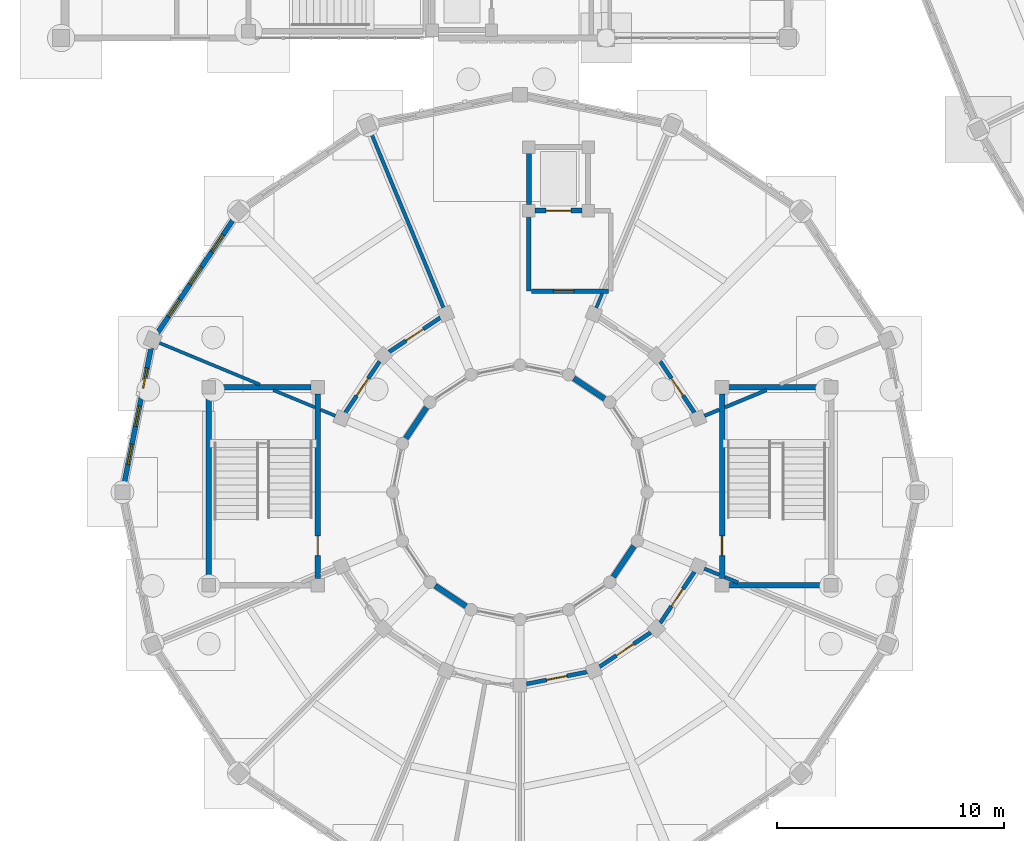
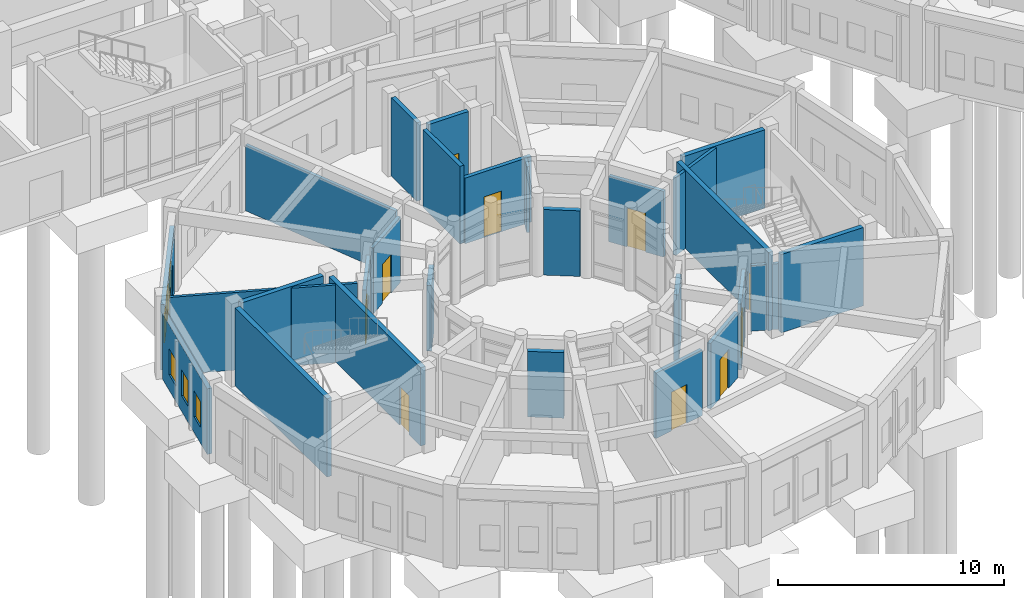
# One storey, part 116 of 153: 31 walls, 10 doors, 6 windows, 16 openings.
"""IFC4 building model written with IfcOpenShell, lengths in metres."""

from ifc_helpers import new_model, si_unit, direction, frame, frame_2d, origin, place, context, subcontext, project, spatial, rectangle, extrude, material, layer, layer_set, type_object, element, fill, save


model = new_model("IFC4")

# Units and contexts
model_context = context("Model", 3, precision=1e-05, world=origin(), true_north=direction((0.0, 1.0)))
body_context = subcontext(model_context, "Body", "Model", "MODEL_VIEW")
ifc_project = project(units=[si_unit("LENGTHUNIT", "METRE"), si_unit("AREAUNIT", "SQUARE_METRE"), si_unit("VOLUMEUNIT", "CUBIC_METRE"), si_unit("PLANEANGLEUNIT", "RADIAN"), si_unit("MASSUNIT", "GRAM", prefix="KILO")], contexts=[model_context])

# Site, building, storey
site_placement = place(None, origin())
site = spatial("IfcSite", under=ifc_project, at=site_placement, CompositionType="ELEMENT")
building_placement = place(site_placement, origin())
building = spatial("IfcBuilding", under=site, at=building_placement, Name="Celadon Cloister-Ring School", CompositionType="ELEMENT")
storey_placement = place(building_placement, origin())
storey = spatial("IfcBuildingStorey", under=building, at=storey_placement, Name="L00", CompositionType="ELEMENT", Elevation=0.0)

# Walls
ifc_material_1 = material(Name="Rendered concrete blockwork", Category="masonry")
ifc_layer_1 = layer(ifc_material_1, 0.239990234375)
ifc_layer_set_1 = layer_set([ifc_layer_1], Name="Rendered concrete blockwork")
wall_type_1 = type_object("IfcWallType", Name="WT-EX3", PredefinedType="SOLIDWALL", material=ifc_layer_set_1)
for number, where, z_axis, x_axis, name in (
    (1, (23.929931640625, 24.114013671875, 0.0), (0.0, 0.0, 1.0), (-0.83165874011, 0.555287078904, 0.0), "Exterior Wall 0294"),
    (2, (16.0859375, 23.72998046875, 0.0), (0.0, 0.0, 1.0), (-0.555287078904, -0.83165874011, 0.0), "Exterior Wall 0299"),
    (3, (16.469970703125, 15.885986328125, 0.0), (0.0, 0.0, 1.0), (0.83165874011, -0.555287078904, 0.0), "Exterior Wall 0304"),
    (4, (24.31396484375, 16.27001953125, 0.0), (0.0, 0.0, 1.0), (0.555287078904, 0.83165874011, 0.0), "Exterior Wall 0309"),
):
    element("IfcWall", number, at=place(storey_placement, frame(where, z_axis=z_axis, x_axis=x_axis)), inside=storey, type_object=wall_type_1, Name=name, PredefinedType="SOLIDWALL", context=body_context, shape_type="SweptSolid", body=[
        extrude(rectangle(XDim=1.631591796875, YDim=0.239990234375, at=frame_2d((0.81591796875, 0.0))), origin(), (0.0, 0.0, 1.0), 3.550048828125),
    ])

# Wall, openings, windows
ifc_material_2 = material(Name="Perforated terracotta clay brick masonry", Category="masonry")
ifc_layer_2 = layer(ifc_material_2, 0.219970703125)
ifc_layer_set_2 = layer_set([ifc_layer_2], Name="Perforated terracotta clay brick masonry")
wall_type_2 = type_object("IfcWallType", Name="WT-EX4", PredefinedType="SOLIDWALL", material=ifc_layer_set_2)
wall_1_placement = place(storey_placement, frame((4.22900390625, 26.991943359375, 0.0), z_axis=(0.0, 0.0, 1.0), x_axis=(0.555657446161, 0.831411331728, 0.0)))
wall_1 = element("IfcWall", 5, at=wall_1_placement, inside=storey, type_object=wall_type_2, Name="Exterior Wall 0298", PredefinedType="SOLIDWALL", context=body_context, shape_type="SweptSolid", body=[
    extrude(rectangle(XDim=6.11865234375, YDim=0.219970703125, at=frame_2d((3.059326171875, 0.0))), origin(), (0.0, 0.0, 1.0), 3.550048828125),
])
opening_1_placement = place(wall_1_placement, frame((0.89599609375, 0.0, 0.85009765625)))
opening_1 = element("IfcOpeningElement", 6, at=opening_1_placement, cuts=wall_1, Name="Opening WN-21", PredefinedType="OPENING", context=body_context, shape_type="SweptSolid", body=[
    extrude(rectangle(XDim=0.89990234375, YDim=1.39990234375, at=frame_2d((0.449951171875, 0.699951171875))), frame((0.0, 0.1201171875, 0.0), z_axis=(0.0, -1.0, 0.0), x_axis=(1.0, 0.0, 0.0)), (0.0, 0.0, 1.0), 0.239990234375),
])
opening_2_placement = place(wall_1_placement, frame((2.60888671875, 0.0, 0.85009765625)))
opening_2 = element("IfcOpeningElement", 7, at=opening_2_placement, cuts=wall_1, Name="Opening WN-21", PredefinedType="OPENING", context=body_context, shape_type="SweptSolid", body=[
    extrude(rectangle(XDim=0.89990234375, YDim=1.39990234375, at=frame_2d((0.449951171875, 0.699951171875))), frame((0.0, 0.1201171875, 0.0), z_axis=(0.0, -1.0, 0.0), x_axis=(1.0, 0.0, 0.0)), (0.0, 0.0, 1.0), 0.239990234375),
])
opening_3_placement = place(wall_1_placement, frame((4.322998046875, 0.0, 0.85009765625)))
opening_3 = element("IfcOpeningElement", 8, at=opening_3_placement, cuts=wall_1, Name="Opening WN-21", PredefinedType="OPENING", context=body_context, shape_type="SweptSolid", body=[
    extrude(rectangle(XDim=0.89990234375, YDim=1.39990234375, at=frame_2d((0.449951171875, 0.699951171875))), frame((0.0, 0.1201171875, 0.0), z_axis=(0.0, -1.0, 0.0), x_axis=(1.0, 0.0, 0.0)), (0.0, 0.0, 1.0), 0.239990234375),
])
ifc_material_3 = material(Name="Tempered laminated insulating glass", Category="glass")
window_type = type_object("IfcWindowType", Name="WN-21", PartitioningType="SINGLE_PANEL", PredefinedType="WINDOW", material=ifc_material_3)
window_1_placement = place(opening_1_placement, origin())
window_1 = element("IfcWindow", 9, at=window_1_placement, inside=storey, type_object=window_type, Name="Window 0777", OverallHeight=1.39990234375, OverallWidth=0.89990234375, PartitioningType="SINGLE_PANEL", PredefinedType="WINDOW", context=body_context, shape_type="SweptSolid", body=[
    extrude(rectangle(XDim=0.89990234375, YDim=1.39990234375, at=frame_2d((0.449951171875, 0.699951171875))), frame((0.0, 0.030029296875, 0.0), z_axis=(0.0, -1.0, 0.0), x_axis=(1.0, 0.0, 0.0)), (0.0, 0.0, 1.0), 0.06005859375),
])
fill(opening_1, window_1)
window_2_placement = place(opening_2_placement, origin())
window_2 = element("IfcWindow", 10, at=window_2_placement, inside=storey, type_object=window_type, Name="Window 0778", OverallHeight=1.39990234375, OverallWidth=0.89990234375, PartitioningType="SINGLE_PANEL", PredefinedType="WINDOW", context=body_context, shape_type="SweptSolid", body=[
    extrude(rectangle(XDim=0.89990234375, YDim=1.39990234375, at=frame_2d((0.449951171875, 0.699951171875))), frame((0.0, 0.030029296875, 0.0), z_axis=(0.0, -1.0, 0.0), x_axis=(1.0, 0.0, 0.0)), (0.0, 0.0, 1.0), 0.06005859375),
])
fill(opening_2, window_2)
window_3_placement = place(opening_3_placement, origin())
window_3 = element("IfcWindow", 11, at=window_3_placement, inside=storey, type_object=window_type, Name="Window 0779", OverallHeight=1.39990234375, OverallWidth=0.89990234375, PartitioningType="SINGLE_PANEL", PredefinedType="WINDOW", context=body_context, shape_type="SweptSolid", body=[
    extrude(rectangle(XDim=0.89990234375, YDim=1.39990234375, at=frame_2d((0.449951171875, 0.699951171875))), frame((0.0, 0.030029296875, 0.0), z_axis=(0.0, -1.0, 0.0), x_axis=(1.0, 0.0, 0.0)), (0.0, 0.0, 1.0), 0.06005859375),
])
fill(opening_3, window_3)

wall_2_placement = place(storey_placement, frame((2.76904296875, 20.347900390625, 0.0), z_axis=(0.0, 0.0, 1.0), x_axis=(0.195110859746, 0.980781194971, 0.0)))
wall_2 = element("IfcWall", 12, at=wall_2_placement, inside=storey, type_object=wall_type_2, Name="Exterior Wall 0300", PredefinedType="SOLIDWALL", context=body_context, shape_type="SweptSolid", body=[
    extrude(rectangle(XDim=6.118896484375, YDim=0.219970703125, at=frame_2d((3.0595703125, 0.0))), origin(), (0.0, 0.0, 1.0), 3.550048828125),
])
opening_4_placement = place(wall_2_placement, frame((0.89599609375, 0.0, 0.85009765625)))
opening_4 = element("IfcOpeningElement", 13, at=opening_4_placement, cuts=wall_2, Name="Opening WN-21", PredefinedType="OPENING", context=body_context, shape_type="SweptSolid", body=[
    extrude(rectangle(XDim=0.89990234375, YDim=1.39990234375, at=frame_2d((0.449951171875, 0.699951171875))), frame((0.0, 0.1201171875, 0.0), z_axis=(0.0, -1.0, 0.0), x_axis=(1.0, 0.0, 0.0)), (0.0, 0.0, 1.0), 0.239990234375),
])
opening_5_placement = place(wall_2_placement, frame((2.60888671875, 0.0, 0.85009765625)))
opening_5 = element("IfcOpeningElement", 14, at=opening_5_placement, cuts=wall_2, Name="Opening WN-21", PredefinedType="OPENING", context=body_context, shape_type="SweptSolid", body=[
    extrude(rectangle(XDim=0.89990234375, YDim=1.39990234375, at=frame_2d((0.449951171875, 0.699951171875))), frame((0.0, 0.1201171875, 0.0), z_axis=(0.0, -1.0, 0.0), x_axis=(1.0, 0.0, 0.0)), (0.0, 0.0, 1.0), 0.239990234375),
])
opening_6_placement = place(wall_2_placement, frame((4.322998046875, 0.0, 0.85009765625)))
opening_6 = element("IfcOpeningElement", 15, at=opening_6_placement, cuts=wall_2, Name="Opening WN-21", PredefinedType="OPENING", context=body_context, shape_type="SweptSolid", body=[
    extrude(rectangle(XDim=0.89990234375, YDim=1.39990234375, at=frame_2d((0.449951171875, 0.699951171875))), frame((0.0, 0.1201171875, 0.0), z_axis=(0.0, -1.0, 0.0), x_axis=(1.0, 0.0, 0.0)), (0.0, 0.0, 1.0), 0.239990234375),
])
window_4_placement = place(opening_4_placement, origin())
window_4 = element("IfcWindow", 16, at=window_4_placement, inside=storey, type_object=window_type, Name="Window 0780", OverallHeight=1.39990234375, OverallWidth=0.89990234375, PartitioningType="SINGLE_PANEL", PredefinedType="WINDOW", context=body_context, shape_type="SweptSolid", body=[
    extrude(rectangle(XDim=0.89990234375, YDim=1.39990234375, at=frame_2d((0.449951171875, 0.699951171875))), frame((0.0, 0.030029296875, 0.0), z_axis=(0.0, -1.0, 0.0), x_axis=(1.0, 0.0, 0.0)), (0.0, 0.0, 1.0), 0.06005859375),
])
fill(opening_4, window_4)
window_5_placement = place(opening_5_placement, origin())
window_5 = element("IfcWindow", 17, at=window_5_placement, inside=storey, type_object=window_type, Name="Window 0781", OverallHeight=1.39990234375, OverallWidth=0.89990234375, PartitioningType="SINGLE_PANEL", PredefinedType="WINDOW", context=body_context, shape_type="SweptSolid", body=[
    extrude(rectangle(XDim=0.89990234375, YDim=1.39990234375, at=frame_2d((0.449951171875, 0.699951171875))), frame((0.0, 0.030029296875, 0.0), z_axis=(0.0, -1.0, 0.0), x_axis=(1.0, 0.0, 0.0)), (0.0, 0.0, 1.0), 0.06005859375),
])
fill(opening_5, window_5)
window_6_placement = place(opening_6_placement, origin())
window_6 = element("IfcWindow", 18, at=window_6_placement, inside=storey, type_object=window_type, Name="Window 0782", OverallHeight=1.39990234375, OverallWidth=0.89990234375, PartitioningType="SINGLE_PANEL", PredefinedType="WINDOW", context=body_context, shape_type="SweptSolid", body=[
    extrude(rectangle(XDim=0.89990234375, YDim=1.39990234375, at=frame_2d((0.449951171875, 0.699951171875))), frame((0.0, 0.030029296875, 0.0), z_axis=(0.0, -1.0, 0.0), x_axis=(1.0, 0.0, 0.0)), (0.0, 0.0, 1.0), 0.06005859375),
])
fill(opening_6, window_6)

# Wall
ifc_material_4 = material(Name="Plastered hollow concrete masonry", Category="masonry")
ifc_layer_3 = layer(ifc_material_4, 0.199951171875)
ifc_layer_set_3 = layer_set([ifc_layer_3], Name="Plastered hollow concrete masonry")
wall_type_3 = type_object("IfcWallType", Name="WT-PT1", PredefinedType="PARTITIONING", material=ifc_layer_set_3)
wall_3_placement = place(storey_placement, frame((20.60009765625, 28.85009765625, 0.0), z_axis=(0.0, 0.0, 1.0), x_axis=(0.0, 1.0, 0.0)))
element("IfcWall", 19, at=wall_3_placement, inside=storey, type_object=wall_type_3, Name="Interior Wall 0372", PredefinedType="PARTITIONING", context=body_context, shape_type="SweptSolid", body=[
    extrude(rectangle(XDim=3.282958984375, YDim=0.199951171875, at=frame_2d((1.6416015625, 0.0))), origin(), (0.0, 0.0, 1.0), 4.199951171875),
])

# Wall, opening, door
wall_4_placement = place(storey_placement, frame((24.096923828125, 28.85009765625, 0.0), z_axis=(0.0, 0.0, 1.0), x_axis=(-1.0, 0.0, 0.0)))
wall_4 = element("IfcWall", 20, at=wall_4_placement, inside=storey, type_object=wall_type_3, Name="Interior Wall 0374", PredefinedType="PARTITIONING", context=body_context, shape_type="SweptSolid", body=[
    extrude(rectangle(XDim=3.39404296875, YDim=0.199951171875, at=frame_2d((1.697021484375, 0.0))), origin(), (0.0, 0.0, 1.0), 3.552001953125),
])
opening_7_placement = place(wall_4_placement, frame((1.51904296875, 0.0, 0.0)))
opening_7 = element("IfcOpeningElement", 21, at=opening_7_placement, cuts=wall_4, Name="Opening D-0105", PredefinedType="OPENING", context=body_context, shape_type="SweptSolid", body=[
    extrude(rectangle(XDim=0.89990234375, YDim=2.199951171875, at=frame_2d((0.449951171875, 1.10009765625))), frame((0.0, 0.10986328125, 0.0), z_axis=(0.0, -1.0, 0.0), x_axis=(1.0, 0.0, 0.0)), (0.0, 0.0, 1.0), 0.219970703125),
])
ifc_material_5 = material(Name="Solid-core fire-rated hardwood leaf", Category="wood")
door_type_1 = type_object("IfcDoorType", Name="DT-06", OperationType="NOTDEFINED", PredefinedType="DOOR", material=ifc_material_5)
door_1_placement = place(opening_7_placement, origin())
door_1 = element("IfcDoor", 22, at=door_1_placement, inside=storey, type_object=door_type_1, Name="Door D-0105", OperationType="SINGLE_SWING_LEFT", OverallHeight=2.199951171875, OverallWidth=0.89990234375, PredefinedType="DOOR", context=body_context, shape_type="SweptSolid", body=[
    extrude(rectangle(XDim=0.89990234375, YDim=2.199951171875, at=frame_2d((0.449951171875, 1.10009765625))), frame((0.0, 0.02490234375, 0.0), z_axis=(0.0, -1.0, 0.0), x_axis=(1.0, 0.0, 0.0)), (0.0, 0.0, 1.0), 0.050048828125),
])
fill(opening_7, door_1)

ifc_material_6 = material(Name="Plastered hollow concrete masonry", Category="masonry")
ifc_layer_4 = layer(ifc_material_6, 0.179931640625)
ifc_layer_set_4 = layer_set([ifc_layer_4], Name="Plastered hollow concrete masonry")
wall_type_4 = type_object("IfcWallType", Name="WT-PT2", PredefinedType="PARTITIONING", material=ifc_layer_set_4)
wall_5_placement = place(storey_placement, frame((27.887939453125, 23.5009765625, 0.0), z_axis=(0.0, 0.0, 1.0), x_axis=(-0.556128339679, 0.831096426298, 0.0)))
wall_5 = element("IfcWall", 23, at=wall_5_placement, inside=storey, type_object=wall_type_4, Name="Interior Wall 0778", PredefinedType="PARTITIONING", context=body_context, shape_type="SweptSolid", body=[
    extrude(rectangle(XDim=2.720458984375, YDim=0.179931640625, at=frame_2d((1.3603515625, 0.0))), origin(), (0.0, 0.0, 1.0), 3.552001953125),
])
opening_8_placement = place(wall_5_placement, frame((0.89990234375, 0.0, 0.0)))
opening_8 = element("IfcOpeningElement", 24, at=opening_8_placement, cuts=wall_5, Name="Opening D-0279", PredefinedType="OPENING", context=body_context, shape_type="SweptSolid", body=[
    extrude(rectangle(XDim=0.919921875, YDim=2.10009765625, at=frame_2d((0.4599609375, 1.050048828125))), frame((0.0, 0.10009765625, 0.0), z_axis=(0.0, -1.0, 0.0), x_axis=(1.0, 0.0, 0.0)), (0.0, 0.0, 1.0), 0.199951171875),
])
ifc_material_7 = material(Name="Solid-core fire-rated hardwood leaf", Category="wood")
door_type_2 = type_object("IfcDoorType", Name="DT-02", OperationType="NOTDEFINED", PredefinedType="DOOR", material=ifc_material_7)
door_2_placement = place(opening_8_placement, origin())
door_2 = element("IfcDoor", 25, at=door_2_placement, inside=storey, type_object=door_type_2, Name="Door D-0279", OperationType="SINGLE_SWING_LEFT", OverallHeight=2.10009765625, OverallWidth=0.919921875, PredefinedType="DOOR", context=body_context, shape_type="SweptSolid", body=[
    extrude(rectangle(XDim=0.919921875, YDim=2.10009765625, at=frame_2d((0.4599609375, 1.050048828125))), frame((0.0, 0.02490234375, 0.0), z_axis=(0.0, -1.0, 0.0), x_axis=(1.0, 0.0, 0.0)), (0.0, 0.0, 1.0), 0.050048828125),
])
fill(opening_8, door_2)

wall_6_placement = place(storey_placement, frame((16.698974609375, 27.68798828125, 0.0), z_axis=(0.0, 0.0, 1.0), x_axis=(-0.831096426298, -0.556128339679, 0.0)))
wall_6 = element("IfcWall", 26, at=wall_6_placement, inside=storey, type_object=wall_type_4, Name="Interior Wall 0780", PredefinedType="PARTITIONING", context=body_context, shape_type="SweptSolid", body=[
    extrude(rectangle(XDim=2.720458984375, YDim=0.179931640625, at=frame_2d((1.3603515625, 0.0))), origin(), (0.0, 0.0, 1.0), 3.552001953125),
])
opening_9_placement = place(wall_6_placement, frame((0.89990234375, 0.0, 0.0)))
opening_9 = element("IfcOpeningElement", 27, at=opening_9_placement, cuts=wall_6, Name="Opening D-0281", PredefinedType="OPENING", context=body_context, shape_type="SweptSolid", body=[
    extrude(rectangle(XDim=0.919921875, YDim=2.10009765625, at=frame_2d((0.4599609375, 1.050048828125))), frame((0.0, 0.10009765625, 0.0), z_axis=(0.0, -1.0, 0.0), x_axis=(1.0, 0.0, 0.0)), (0.0, 0.0, 1.0), 0.199951171875),
])
door_3_placement = place(opening_9_placement, origin())
door_3 = element("IfcDoor", 28, at=door_3_placement, inside=storey, type_object=door_type_2, Name="Door D-0281", OperationType="SINGLE_SWING_LEFT", OverallHeight=2.10009765625, OverallWidth=0.919921875, PredefinedType="DOOR", context=body_context, shape_type="SweptSolid", body=[
    extrude(rectangle(XDim=0.919921875, YDim=2.10009765625, at=frame_2d((0.4599609375, 1.050048828125))), frame((0.0, 0.02490234375, 0.0), z_axis=(0.0, -1.0, 0.0), x_axis=(1.0, 0.0, 0.0)), (0.0, 0.0, 1.0), 0.050048828125),
])
fill(opening_9, door_3)

wall_7_placement = place(storey_placement, frame((14.02490234375, 25.761962890625, 0.0), z_axis=(0.0, 0.0, 1.0), x_axis=(-0.556128339679, -0.831096426298, 0.0)))
wall_7 = element("IfcWall", 29, at=wall_7_placement, inside=storey, type_object=wall_type_4, Name="Interior Wall 0781", PredefinedType="PARTITIONING", context=body_context, shape_type="SweptSolid", body=[
    extrude(rectangle(XDim=2.720458984375, YDim=0.179931640625, at=frame_2d((1.3603515625, 0.0))), origin(), (0.0, 0.0, 1.0), 3.552001953125),
])
opening_10_placement = place(wall_7_placement, frame((0.89990234375, 0.0, 0.0)))
opening_10 = element("IfcOpeningElement", 30, at=opening_10_placement, cuts=wall_7, Name="Opening D-0282", PredefinedType="OPENING", context=body_context, shape_type="SweptSolid", body=[
    extrude(rectangle(XDim=0.919921875, YDim=2.10009765625, at=frame_2d((0.4599609375, 1.050048828125))), frame((0.0, 0.10009765625, 0.0), z_axis=(0.0, -1.0, 0.0), x_axis=(1.0, 0.0, 0.0)), (0.0, 0.0, 1.0), 0.199951171875),
])
door_4_placement = place(opening_10_placement, origin())
door_4 = element("IfcDoor", 31, at=door_4_placement, inside=storey, type_object=door_type_2, Name="Door D-0282", OperationType="SINGLE_SWING_RIGHT", OverallHeight=2.10009765625, OverallWidth=0.919921875, PredefinedType="DOOR", context=body_context, shape_type="SweptSolid", body=[
    extrude(rectangle(XDim=0.919921875, YDim=2.10009765625, at=frame_2d((0.4599609375, 1.050048828125))), frame((0.0, 0.02490234375, 0.0), z_axis=(0.0, -1.0, 0.0), x_axis=(1.0, 0.0, 0.0)), (0.0, 0.0, 1.0), 0.050048828125),
])
fill(opening_10, door_4)

wall_8_placement = place(storey_placement, frame((20.491943359375, 11.55810546875, 0.0), z_axis=(0.0, 0.0, 1.0), x_axis=(0.980776867939, 0.195132609565, 0.0)))
wall_8 = element("IfcWall", 32, at=wall_8_placement, inside=storey, type_object=wall_type_4, Name="Interior Wall 0786", PredefinedType="PARTITIONING", context=body_context, shape_type="SweptSolid", body=[
    extrude(rectangle(XDim=2.72119140625, YDim=0.179931640625, at=frame_2d((1.360595703125, 0.0))), origin(), (0.0, 0.0, 1.0), 3.552001953125),
])
opening_11_placement = place(wall_8_placement, frame((0.90087890625, 0.0, 0.0)))
opening_11 = element("IfcOpeningElement", 33, at=opening_11_placement, cuts=wall_8, Name="Opening D-0287", PredefinedType="OPENING", context=body_context, shape_type="SweptSolid", body=[
    extrude(rectangle(XDim=0.919921875, YDim=2.10009765625, at=frame_2d((0.4599609375, 1.050048828125))), frame((0.0, 0.10009765625, 0.0), z_axis=(0.0, -1.0, 0.0), x_axis=(1.0, 0.0, 0.0)), (0.0, 0.0, 1.0), 0.199951171875),
])
door_5_placement = place(opening_11_placement, origin())
door_5 = element("IfcDoor", 34, at=door_5_placement, inside=storey, type_object=door_type_2, Name="Door D-0287", OperationType="SINGLE_SWING_LEFT", OverallHeight=2.10009765625, OverallWidth=0.919921875, PredefinedType="DOOR", context=body_context, shape_type="SweptSolid", body=[
    extrude(rectangle(XDim=0.919921875, YDim=2.10009765625, at=frame_2d((0.4599609375, 1.050048828125))), frame((0.0, 0.02490234375, 0.0), z_axis=(0.0, -1.0, 0.0), x_axis=(1.0, 0.0, 0.0)), (0.0, 0.0, 1.0), 0.050048828125),
])
fill(opening_11, door_5)

wall_9_placement = place(storey_placement, frame((23.700927734375, 12.31201171875, 0.0), z_axis=(0.0, 0.0, 1.0), x_axis=(0.831096426298, 0.556128339679, 0.0)))
wall_9 = element("IfcWall", 35, at=wall_9_placement, inside=storey, type_object=wall_type_4, Name="Interior Wall 0787", PredefinedType="PARTITIONING", context=body_context, shape_type="SweptSolid", body=[
    extrude(rectangle(XDim=2.720458984375, YDim=0.179931640625, at=frame_2d((1.3603515625, 0.0))), origin(), (0.0, 0.0, 1.0), 3.552001953125),
])
opening_12_placement = place(wall_9_placement, frame((0.89990234375, 0.0, 0.0)))
opening_12 = element("IfcOpeningElement", 36, at=opening_12_placement, cuts=wall_9, Name="Opening D-0288", PredefinedType="OPENING", context=body_context, shape_type="SweptSolid", body=[
    extrude(rectangle(XDim=0.919921875, YDim=2.10009765625, at=frame_2d((0.4599609375, 1.050048828125))), frame((0.0, 0.10009765625, 0.0), z_axis=(0.0, -1.0, 0.0), x_axis=(1.0, 0.0, 0.0)), (0.0, 0.0, 1.0), 0.199951171875),
])
door_6_placement = place(opening_12_placement, origin())
door_6 = element("IfcDoor", 37, at=door_6_placement, inside=storey, type_object=door_type_2, Name="Door D-0288", OperationType="SINGLE_SWING_RIGHT", OverallHeight=2.10009765625, OverallWidth=0.919921875, PredefinedType="DOOR", context=body_context, shape_type="SweptSolid", body=[
    extrude(rectangle(XDim=0.919921875, YDim=2.10009765625, at=frame_2d((0.4599609375, 1.050048828125))), frame((0.0, 0.02490234375, 0.0), z_axis=(0.0, -1.0, 0.0), x_axis=(1.0, 0.0, 0.0)), (0.0, 0.0, 1.0), 0.050048828125),
])
fill(opening_12, door_6)

wall_10_placement = place(storey_placement, frame((26.375, 14.238037109375, 0.0), z_axis=(0.0, 0.0, 1.0), x_axis=(0.556128339679, 0.831096426298, 0.0)))
wall_10 = element("IfcWall", 38, at=wall_10_placement, inside=storey, type_object=wall_type_4, Name="Interior Wall 0788", PredefinedType="PARTITIONING", context=body_context, shape_type="SweptSolid", body=[
    extrude(rectangle(XDim=2.720458984375, YDim=0.179931640625, at=frame_2d((1.3603515625, 0.0))), origin(), (0.0, 0.0, 1.0), 3.552001953125),
])
opening_13_placement = place(wall_10_placement, frame((0.89990234375, 0.0, 0.0)))
opening_13 = element("IfcOpeningElement", 39, at=opening_13_placement, cuts=wall_10, Name="Opening D-0289", PredefinedType="OPENING", context=body_context, shape_type="SweptSolid", body=[
    extrude(rectangle(XDim=0.919921875, YDim=2.10009765625, at=frame_2d((0.4599609375, 1.050048828125))), frame((0.0, 0.10009765625, 0.0), z_axis=(0.0, -1.0, 0.0), x_axis=(1.0, 0.0, 0.0)), (0.0, 0.0, 1.0), 0.199951171875),
])
door_7_placement = place(opening_13_placement, origin())
door_7 = element("IfcDoor", 40, at=door_7_placement, inside=storey, type_object=door_type_2, Name="Door D-0289", OperationType="SINGLE_SWING_LEFT", OverallHeight=2.10009765625, OverallWidth=0.919921875, PredefinedType="DOOR", context=body_context, shape_type="SweptSolid", body=[
    extrude(rectangle(XDim=0.919921875, YDim=2.10009765625, at=frame_2d((0.4599609375, 1.050048828125))), frame((0.0, 0.02490234375, 0.0), z_axis=(0.0, -1.0, 0.0), x_axis=(1.0, 0.0, 0.0)), (0.0, 0.0, 1.0), 0.050048828125),
])
fill(opening_13, door_7)

# Walls
ifc_material_8 = material(Name="Plastered hollow concrete masonry", Category="masonry")
ifc_layer_5 = layer(ifc_material_8, 0.159912109375)
ifc_layer_set_5 = layer_set([ifc_layer_5], Name="Plastered hollow concrete masonry")
wall_type_5 = type_object("IfcWallType", Name="WT-PT3", PredefinedType="PARTITIONING", material=ifc_layer_set_5)
wall_11_placement = place(storey_placement, frame((28.322998046875, 23.364013671875, 0.0), z_axis=(0.0, 0.0, 1.0), x_axis=(0.923840285319, 0.382778169729, 0.0)))
element("IfcWall", 41, at=wall_11_placement, inside=storey, type_object=wall_type_5, Name="Interior Wall 0758", PredefinedType="PARTITIONING", context=body_context, shape_type="SweptSolid", body=[
    extrude(rectangle(XDim=0.7080078125, YDim=0.159912109375, at=frame_2d((0.35400390625, 0.0))), origin(), (0.0, 0.0, 1.0), 4.199951171875),
])
wall_12_placement = place(storey_placement, frame((29.222900390625, 23.737060546875, 0.0), z_axis=(0.0, 0.0, 1.0), x_axis=(0.923817443679, 0.382833293686, 0.0)))
element("IfcWall", 42, at=wall_12_placement, inside=storey, type_object=wall_type_5, Name="Interior Wall 0759", PredefinedType="PARTITIONING", context=body_context, shape_type="SweptSolid", body=[
    extrude(rectangle(XDim=1.985107421875, YDim=0.159912109375, at=frame_2d((0.99267578125, 0.0))), origin(), (0.0, 0.0, 1.0), 4.199951171875),
])
wall_13_placement = place(storey_placement, frame((16.8359375, 28.123046875, 0.0), z_axis=(0.0, 0.0, 1.0), x_axis=(-0.382780060664, 0.923839501839, 0.0)))
element("IfcWall", 43, at=wall_13_placement, inside=storey, type_object=wall_type_5, Name="Interior Wall 0764", PredefinedType="PARTITIONING", context=body_context, shape_type="SweptSolid", body=[
    extrude(rectangle(XDim=8.39111328125, YDim=0.159912109375, at=frame_2d((4.195556640625, 0.0))), origin(), (0.0, 0.0, 1.0), 3.552001953125),
])
wall_14_placement = place(storey_placement, frame((28.322998046875, 16.635986328125, 0.0), z_axis=(0.0, 0.0, 1.0), x_axis=(0.923840285319, -0.382778169729, 0.0)))
element("IfcWall", 44, at=wall_14_placement, inside=storey, type_object=wall_type_5, Name="Interior Wall 0774", PredefinedType="PARTITIONING", context=body_context, shape_type="SweptSolid", body=[
    extrude(rectangle(XDim=0.7080078125, YDim=0.159912109375, at=frame_2d((0.35400390625, 0.0))), origin(), (0.0, 0.0, 1.0), 3.552001953125),
])
wall_15_placement = place(storey_placement, frame((29.222900390625, 16.262939453125, 0.0), z_axis=(0.0, 0.0, 1.0), x_axis=(0.923812676193, -0.382844797933, 0.0)))
element("IfcWall", 45, at=wall_15_placement, inside=storey, type_object=wall_type_5, Name="Interior Wall 0775", PredefinedType="PARTITIONING", context=body_context, shape_type="SweptSolid", body=[
    extrude(rectangle(XDim=0.626953125, YDim=0.159912109375, at=frame_2d((0.3134765625, 0.0))), origin(), (0.0, 0.0, 1.0), 3.552001953125),
])
ifc_material_9 = material(Name="Acoustic mineral-wool drywall partition")
ifc_layer_6 = layer(ifc_material_9, 0.139892578125)
ifc_layer_set_6 = layer_set([ifc_layer_6], Name="Acoustic mineral-wool drywall partition")
wall_type_6 = type_object("IfcWallType", Name="WT-PT4", PredefinedType="PARTITIONING", material=ifc_layer_set_6)
wall_16_placement = place(storey_placement, frame((23.56396484375, 28.123046875, 0.0), z_axis=(0.0, 0.0, 1.0), x_axis=(0.383383487336, 0.923589249417, 0.0)))
element("IfcWall", 46, at=wall_16_placement, inside=storey, type_object=wall_type_6, Name="Interior Wall 0761", PredefinedType="PARTITIONING", context=body_context, shape_type="SweptSolid", body=[
    extrude(rectangle(XDim=0.675537109375, YDim=0.139892578125, at=frame_2d((0.337890625, 0.0))), origin(), (0.0, 0.0, 1.0), 3.552001953125),
])
wall_17_placement = place(storey_placement, frame((12.076904296875, 23.364013671875, 0.0), z_axis=(0.0, 0.0, 1.0), x_axis=(-0.923789734747, 0.382900151445, 0.0)))
element("IfcWall", 47, at=wall_17_placement, inside=storey, type_object=wall_type_6, Name="Interior Wall 0765", PredefinedType="PARTITIONING", context=body_context, shape_type="SweptSolid", body=[
    extrude(rectangle(XDim=0.707763671875, YDim=0.139892578125, at=frame_2d((0.35400390625, 0.0))), origin(), (0.0, 0.0, 1.0), 4.199951171875),
])
wall_18_placement = place(storey_placement, frame((11.177001953125, 23.737060546875, 0.0), z_axis=(0.0, 0.0, 1.0), x_axis=(-0.923817443679, 0.382833293686, 0.0)))
element("IfcWall", 48, at=wall_18_placement, inside=storey, type_object=wall_type_6, Name="Interior Wall 0766", PredefinedType="PARTITIONING", context=body_context, shape_type="SweptSolid", body=[
    extrude(rectangle(XDim=1.985107421875, YDim=0.139892578125, at=frame_2d((0.99267578125, 0.0))), origin(), (0.0, 0.0, 1.0), 4.199951171875),
])
wall_19_placement = place(storey_placement, frame((8.7490234375, 24.742919921875, 0.0), z_axis=(0.0, 0.0, 1.0), x_axis=(-0.923842829076, 0.38277203028, 0.0)))
element("IfcWall", 49, at=wall_19_placement, inside=storey, type_object=wall_type_6, Name="Interior Wall 0767", PredefinedType="PARTITIONING", context=body_context, shape_type="SweptSolid", body=[
    extrude(rectangle(XDim=4.788818359375, YDim=0.139892578125, at=frame_2d((2.39453125, 0.0))), origin(), (0.0, 0.0, 1.0), 4.199951171875),
])
ifc_material_10 = material(Name="Concrete C40/50", Category="concrete")
ifc_layer_7 = layer(ifc_material_10, 0.239990234375)
ifc_layer_set_7 = layer_set([ifc_layer_7], Name="Concrete C40/50")
wall_type_7 = type_object("IfcWallType", Name="WT-SH1", PredefinedType="SHEAR", material=ifc_layer_set_7)
wall_20_placement = place(storey_placement, frame((6.5, 16.19189453125, 0.0), z_axis=(0.0, 0.0, 1.0), x_axis=(0.0, 1.0, 0.0)))
element("IfcWall", 50, at=wall_20_placement, inside=storey, type_object=wall_type_7, Name="Interior Wall 0049", PredefinedType="SHEAR", context=body_context, shape_type="SweptSolid", body=[
    extrude(rectangle(XDim=8.135986328125, YDim=0.239990234375, at=frame_2d((4.06787109375, 0.0))), origin(), (0.0, 0.0, 1.0), 4.239990234375),
])

# Wall, opening, door
wall_21_placement = place(storey_placement, frame((11.300048828125, 24.327880859375, 0.0), z_axis=(0.0, 0.0, 1.0), x_axis=(0.0, -1.0, 0.0)))
wall_21 = element("IfcWall", 51, at=wall_21_placement, inside=storey, type_object=wall_type_7, Name="Interior Wall 0050", PredefinedType="SHEAR", context=body_context, shape_type="SweptSolid", body=[
    extrude(rectangle(XDim=8.135986328125, YDim=0.239990234375, at=frame_2d((4.06787109375, 0.0))), origin(), (0.0, 0.0, 1.0), 4.239990234375),
])
opening_14_placement = place(wall_21_placement, frame((6.243896484375, 0.0, 0.0)))
opening_14 = element("IfcOpeningElement", 52, at=opening_14_placement, cuts=wall_21, Name="Opening D-0045", PredefinedType="OPENING", context=body_context, shape_type="SweptSolid", body=[
    extrude(rectangle(XDim=0.8798828125, YDim=2.10009765625, at=frame_2d((0.43994140625, 1.050048828125))), frame((0.0, 0.1298828125, 0.0), z_axis=(0.0, -1.0, 0.0), x_axis=(1.0, 0.0, 0.0)), (0.0, 0.0, 1.0), 0.260009765625),
])
ifc_material_11 = material(Name="Solid-core fire-rated hardwood leaf", Category="wood")
door_type_3 = type_object("IfcDoorType", Name="DT-01", OperationType="NOTDEFINED", PredefinedType="DOOR", material=ifc_material_11)
door_8_placement = place(opening_14_placement, origin())
door_8 = element("IfcDoor", 53, at=door_8_placement, inside=storey, type_object=door_type_3, Name="Door D-0045", OperationType="SINGLE_SWING_LEFT", OverallHeight=2.10009765625, OverallWidth=0.8798828125, PredefinedType="DOOR", context=body_context, shape_type="SweptSolid", body=[
    extrude(rectangle(XDim=0.8798828125, YDim=2.10009765625, at=frame_2d((0.43994140625, 1.050048828125))), frame((0.0, 0.02490234375, 0.0), z_axis=(0.0, -1.0, 0.0), x_axis=(1.0, 0.0, 0.0)), (0.0, 0.0, 1.0), 0.050048828125),
])
fill(opening_14, door_8)

# Wall
wall_22_placement = place(storey_placement, frame((11.008056640625, 24.6201171875, 0.0), z_axis=(0.0, 0.0, 1.0), x_axis=(-1.0, 0.0, 0.0)))
element("IfcWall", 54, at=wall_22_placement, inside=storey, type_object=wall_type_7, Name="Interior Wall 0052", PredefinedType="SHEAR", context=body_context, shape_type="SweptSolid", body=[
    extrude(rectangle(XDim=4.216064453125, YDim=0.239990234375, at=frame_2d((2.10791015625, 0.0))), origin(), (0.0, 0.0, 1.0), 4.239990234375),
])

# Wall, opening, door
wall_23_placement = place(storey_placement, frame((29.10009765625, 16.19189453125, 0.0), z_axis=(0.0, 0.0, 1.0), x_axis=(0.0, 1.0, 0.0)))
wall_23 = element("IfcWall", 55, at=wall_23_placement, inside=storey, type_object=wall_type_7, Name="Interior Wall 0065", PredefinedType="SHEAR", context=body_context, shape_type="SweptSolid", body=[
    extrude(rectangle(XDim=8.135986328125, YDim=0.239990234375, at=frame_2d((4.06787109375, 0.0))), origin(), (0.0, 0.0, 1.0), 4.239990234375),
])
opening_15_placement = place(wall_23_placement, frame((1.011962890625, 0.0, 0.0)))
opening_15 = element("IfcOpeningElement", 56, at=opening_15_placement, cuts=wall_23, Name="Opening D-0049", PredefinedType="OPENING", context=body_context, shape_type="SweptSolid", body=[
    extrude(rectangle(XDim=0.8798828125, YDim=2.10009765625, at=frame_2d((0.43994140625, 1.050048828125))), frame((0.0, 0.1298828125, 0.0), z_axis=(0.0, -1.0, 0.0), x_axis=(1.0, 0.0, 0.0)), (0.0, 0.0, 1.0), 0.260009765625),
])
door_9_placement = place(opening_15_placement, origin())
door_9 = element("IfcDoor", 57, at=door_9_placement, inside=storey, type_object=door_type_3, Name="Door D-0049", OperationType="SINGLE_SWING_LEFT", OverallHeight=2.10009765625, OverallWidth=0.8798828125, PredefinedType="DOOR", context=body_context, shape_type="SweptSolid", body=[
    extrude(rectangle(XDim=0.8798828125, YDim=2.10009765625, at=frame_2d((0.43994140625, 1.050048828125))), frame((0.0, 0.02490234375, 0.0), z_axis=(0.0, -1.0, 0.0), x_axis=(1.0, 0.0, 0.0)), (0.0, 0.0, 1.0), 0.050048828125),
])
fill(opening_15, door_9)

# Walls
for number, where, z_axis, x_axis, name in (
    (58, (33.60791015625, 15.89990234375, 0.0), (0.0, 0.0, 1.0), (-1.0, 0.0, 0.0), "Interior Wall 0067"),
    (59, (33.60791015625, 24.6201171875, 0.0), (0.0, 0.0, 1.0), (-1.0, 0.0, 0.0), "Interior Wall 0068"),
):
    element("IfcWall", number, at=place(storey_placement, frame(where, z_axis=z_axis, x_axis=x_axis)), inside=storey, type_object=wall_type_7, Name=name, PredefinedType="SHEAR", context=body_context, shape_type="SweptSolid", body=[
        extrude(rectangle(XDim=4.2158203125, YDim=0.239990234375, at=frame_2d((2.10791015625, 0.0))), origin(), (0.0, 0.0, 1.0), 4.239990234375),
    ])

# Wall, opening, door
ifc_material_12 = material(Name="Concrete C40/50", Category="concrete")
ifc_layer_8 = layer(ifc_material_12, 0.219970703125)
ifc_layer_set_8 = layer_set([ifc_layer_8], Name="Concrete C40/50")
wall_type_8 = type_object("IfcWallType", Name="WT-SH2", PredefinedType="SHEAR", material=ifc_layer_set_8)
wall_24_placement = place(storey_placement, frame((20.866943359375, 32.39990234375, 0.0), z_axis=(0.0, 0.0, 1.0), x_axis=(1.0, 0.0, 0.0)))
wall_24 = element("IfcWall", 60, at=wall_24_placement, inside=storey, type_object=wall_type_8, Name="Interior Wall 0367", PredefinedType="SHEAR", context=body_context, shape_type="SweptSolid", body=[
    extrude(rectangle(XDim=2.066162109375, YDim=0.219970703125, at=frame_2d((1.033203125, 0.0))), origin(), (0.0, 0.0, 1.0), 4.239990234375),
])
opening_16_placement = place(wall_24_placement, frame((0.48291015625, 0.0, 0.0)))
opening_16 = element("IfcOpeningElement", 61, at=opening_16_placement, cuts=wall_24, Name="Opening LD-021", PredefinedType="OPENING", context=body_context, shape_type="SweptSolid", body=[
    extrude(rectangle(XDim=1.10009765625, YDim=2.14990234375, at=frame_2d((0.550048828125, 1.074951171875))), frame((0.0, 0.1201171875, 0.0), z_axis=(0.0, -1.0, 0.0), x_axis=(1.0, 0.0, 0.0)), (0.0, 0.0, 1.0), 0.239990234375),
])
ifc_material_13 = material(Name="Galvanised fire-rated hollow steel leaf", Category="steel")
door_type_4 = type_object("IfcDoorType", Name="DT-LD1", OperationType="DOUBLE_DOOR_SLIDING", PredefinedType="DOOR", material=ifc_material_13)
door_10_placement = place(opening_16_placement, origin())
door_10 = element("IfcDoor", 62, at=door_10_placement, inside=storey, type_object=door_type_4, Name="Door LD-021", OperationType="DOUBLE_DOOR_SLIDING", OverallHeight=2.14990234375, OverallWidth=1.10009765625, PredefinedType="DOOR", context=body_context, shape_type="SweptSolid", body=[
    extrude(rectangle(XDim=1.10009765625, YDim=2.14990234375, at=frame_2d((0.550048828125, 1.074951171875))), frame((0.0, 0.02490234375, 0.0), z_axis=(0.0, -1.0, 0.0), x_axis=(1.0, 0.0, 0.0)), (0.0, 0.0, 1.0), 0.050048828125),
])
fill(opening_16, door_10)

# Wall
wall_25_placement = place(storey_placement, frame((20.60009765625, 34.93310546875, 0.0), z_axis=(0.0, 0.0, 1.0), x_axis=(0.0, -1.0, 0.0)))
element("IfcWall", 63, at=wall_25_placement, inside=storey, type_object=wall_type_8, Name="Interior Wall 0370", PredefinedType="SHEAR", context=body_context, shape_type="SweptSolid", body=[
    extrude(rectangle(XDim=2.26611328125, YDim=0.219970703125, at=frame_2d((1.133056640625, 0.0))), origin(), (0.0, 0.0, 1.0), 4.239990234375),
])

save(model, "model.ifc")
